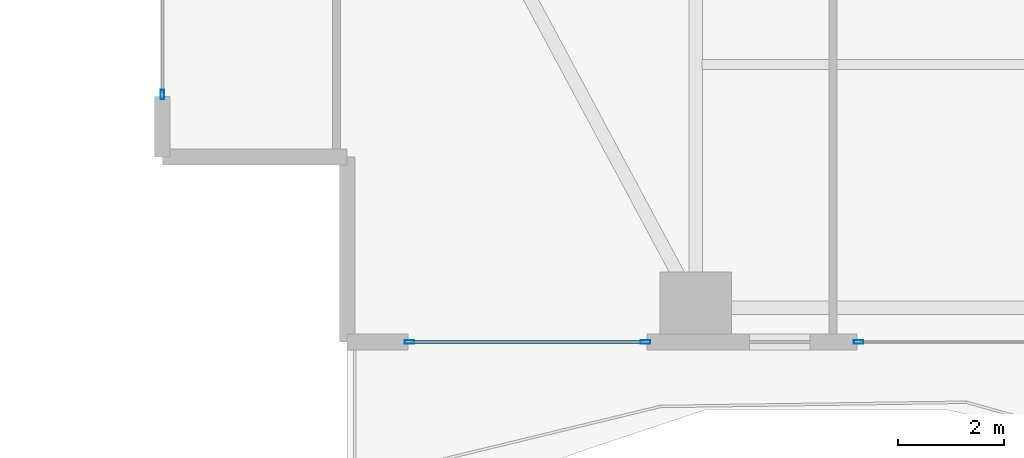
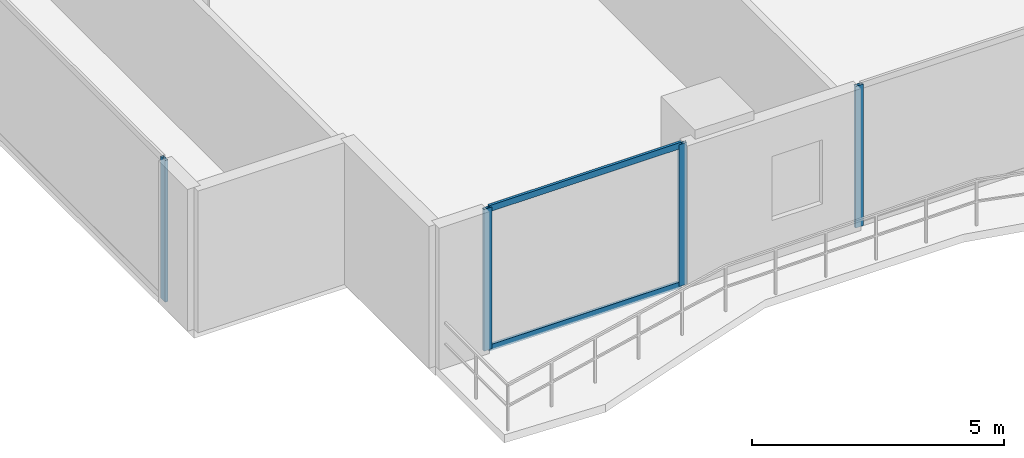
# One storey, part 2 of 27: 6 members, 3 elements without a shape of their own.
"""IFC4 building model written with IfcOpenShell, lengths in metres."""

from ifc_helpers import new_model, si_unit, direction, frame, origin, origin_2d, place, context, subcontext, project, spatial, hollow_rectangle, extrude, material, layer, layer_set, material_profile, profile_set, type_object, element, aggregate, save


model = new_model("IFC4")

# Units and contexts
model_context = context("Model", 3, precision=1e-05, world=origin(), true_north=direction((0.0, 1.0)))
body_context = subcontext(model_context, "Body", "Model", "MODEL_VIEW")
ifc_project = project(units=[si_unit("LENGTHUNIT", "METRE"), si_unit("AREAUNIT", "SQUARE_METRE"), si_unit("VOLUMEUNIT", "CUBIC_METRE"), si_unit("PLANEANGLEUNIT", "RADIAN"), si_unit("MASSUNIT", "GRAM", prefix="KILO")], contexts=[model_context])

# Site, building, storey
site_placement = place(None, origin())
site = spatial("IfcSite", under=ifc_project, at=site_placement, CompositionType="ELEMENT")
building_placement = place(site_placement, origin())
building = spatial("IfcBuilding", under=site, at=building_placement, Name="Zuhayl Quay Hotel", CompositionType="ELEMENT")
storey_placement = place(building_placement, frame((0.0, 0.0, 102.949951171875)))
storey = spatial("IfcBuildingStorey", under=building, at=storey_placement, Name="L25", CompositionType="ELEMENT", Elevation=102.949951171875)

# Curtain wall, member
ifc_material_1 = material(Name="Anodised Aluminium 6063-T6", Category="aluminium")
ifc_layer = layer(ifc_material_1, 0.179931640625, Name="Anodised Aluminium 6063-T6", Category="aluminium")
ifc_layer_set = layer_set([ifc_layer], Name="Anodised Aluminium 6063-T6")
curtain_wall_type = type_object("IfcCurtainWallType", Name="CW_SYS_Z2", PredefinedType="USERDEFINED", material=ifc_layer_set)
curtain_wall_1_placement = place(storey_placement, origin())
curtain_wall_1 = element("IfcCurtainWall", 1, at=curtain_wall_1_placement, inside=storey, type_object=curtain_wall_type, Name="L25 Curtain Wall ENV_L25_E02_CW1", ObjectType="UNITISED CURTAIN WALL", PredefinedType="USERDEFINED")
ifc_material_2 = material(Name="Black-anodised aluminium 6063-T6", Category="aluminium")
ifc_material_profile_1 = material_profile(ifc_material_2, hollow_rectangle(XDim=0.06494140625, YDim=0.179931640625, WallThickness=0.00341796875, at=origin_2d()), Name="ALU180X65")
ifc_profile_set_1 = profile_set([ifc_material_profile_1], Name="Black-anodised aluminium 6063-T6")
member_type_1 = type_object("IfcMemberType", Name="MB_CW_MUL_180", PredefinedType="MULLION", material=ifc_profile_set_1)
member_1_placement = place(storey_placement, frame((-23.89990234375, -10.717529296875, 0.0), z_axis=(0.0, 0.0, 1.0), x_axis=(-1.0, 0.0, 0.0)))
member_1 = element("IfcMember", 2, at=member_1_placement, type_object=member_type_1, Name="CW-Z2 mullion 1", PredefinedType="MULLION", context=body_context, shape_type="SweptSolid", body=[
    extrude(hollow_rectangle(XDim=0.06494140625, YDim=0.179931640625, WallThickness=0.00341796875, at=origin_2d()), origin(), (0.0, 0.0, 1.0), 3.429931640625),
])
aggregate(curtain_wall_1, [member_1])

curtain_wall_2_placement = place(storey_placement, origin())
curtain_wall_2 = element("IfcCurtainWall", 3, at=curtain_wall_2_placement, inside=storey, type_object=curtain_wall_type, Name="L25 Curtain Wall ENV_L25_S_CW5", ObjectType="UNITISED CURTAIN WALL", PredefinedType="USERDEFINED")
member_2_placement = place(storey_placement, frame((-10.717529296875, -15.39990234375, 0.0), z_axis=(0.0, 0.0, 1.0), x_axis=(0.0, -1.0, 0.0)))
member_2 = element("IfcMember", 4, at=member_2_placement, type_object=member_type_1, Name="CW-Z2 mullion 2", PredefinedType="MULLION", context=body_context, shape_type="SweptSolid", body=[
    extrude(hollow_rectangle(XDim=0.06494140625, YDim=0.179931640625, WallThickness=0.00341796875, at=origin_2d()), origin(), (0.0, 0.0, 1.0), 3.429931640625),
])
aggregate(curtain_wall_2, [member_2])

# Curtain wall, members
curtain_wall_3_placement = place(storey_placement, origin())
curtain_wall_3 = element("IfcCurtainWall", 5, at=curtain_wall_3_placement, inside=storey, type_object=curtain_wall_type, Name="L25 Curtain Wall ENV_L25_S_CW6", ObjectType="UNITISED CURTAIN WALL", PredefinedType="USERDEFINED")
member_3_placement = place(storey_placement, frame((-14.75244140625, -15.39990234375, 0.0), z_axis=(0.0, 0.0, 1.0), x_axis=(0.0, -1.0, 0.0)))
member_3 = element("IfcMember", 6, at=member_3_placement, type_object=member_type_1, Name="CW-Z2 mullion 1", PredefinedType="MULLION", context=body_context, shape_type="SweptSolid", body=[
    extrude(hollow_rectangle(XDim=0.06494140625, YDim=0.179931640625, WallThickness=0.00341796875, at=origin_2d()), origin(), (0.0, 0.0, 1.0), 3.429931640625),
])
member_4_placement = place(storey_placement, frame((-19.217529296875, -15.39990234375, 0.0), z_axis=(0.0, 0.0, 1.0), x_axis=(0.0, -1.0, 0.0)))
member_4 = element("IfcMember", 7, at=member_4_placement, type_object=member_type_1, Name="CW-Z2 mullion 2", PredefinedType="MULLION", context=body_context, shape_type="SweptSolid", body=[
    extrude(hollow_rectangle(XDim=0.06494140625, YDim=0.179931640625, WallThickness=0.00341796875, at=origin_2d()), origin(), (0.0, 0.0, 1.0), 3.429931640625),
])
ifc_material_profile_2 = material_profile(ifc_material_2, hollow_rectangle(XDim=0.06005859375, YDim=0.14990234375, WallThickness=0.00341796875, at=origin_2d()), Name="ALU150X60")
ifc_profile_set_2 = profile_set([ifc_material_profile_2], Name="Black-anodised aluminium 6063-T6")
member_type_2 = type_object("IfcMemberType", Name="MB_CW_TRN_150", PredefinedType="USERDEFINED", material=ifc_profile_set_2)
member_5_placement = place(storey_placement, frame((-14.784912109375, -15.39990234375, 0.030029296875), z_axis=(-1.0, 0.0, 0.0), x_axis=(0.0, -1.0, 0.0)))
member_5 = element("IfcMember", 8, at=member_5_placement, type_object=member_type_2, Name="CW-Z2 transom 1.1", ObjectType="TRANSOM", PredefinedType="USERDEFINED", context=body_context, shape_type="SweptSolid", body=[
    extrude(hollow_rectangle(XDim=0.06005859375, YDim=0.14990234375, WallThickness=0.00341796875, at=origin_2d()), origin(), (0.0, 0.0, 1.0), 4.400146484375),
])
member_6_placement = place(storey_placement, frame((-14.784912109375, -15.39990234375, 3.400146484375), z_axis=(-1.0, 0.0, 0.0), x_axis=(0.0, -1.0, 0.0)))
member_6 = element("IfcMember", 9, at=member_6_placement, type_object=member_type_2, Name="CW-Z2 transom 1.2", ObjectType="TRANSOM", PredefinedType="USERDEFINED", context=body_context, shape_type="SweptSolid", body=[
    extrude(hollow_rectangle(XDim=0.06005859375, YDim=0.14990234375, WallThickness=0.00341796875, at=origin_2d()), origin(), (0.0, 0.0, 1.0), 4.400146484375),
])
aggregate(curtain_wall_3, [member_3, member_4, member_5, member_6])

save(model, "model.ifc")
